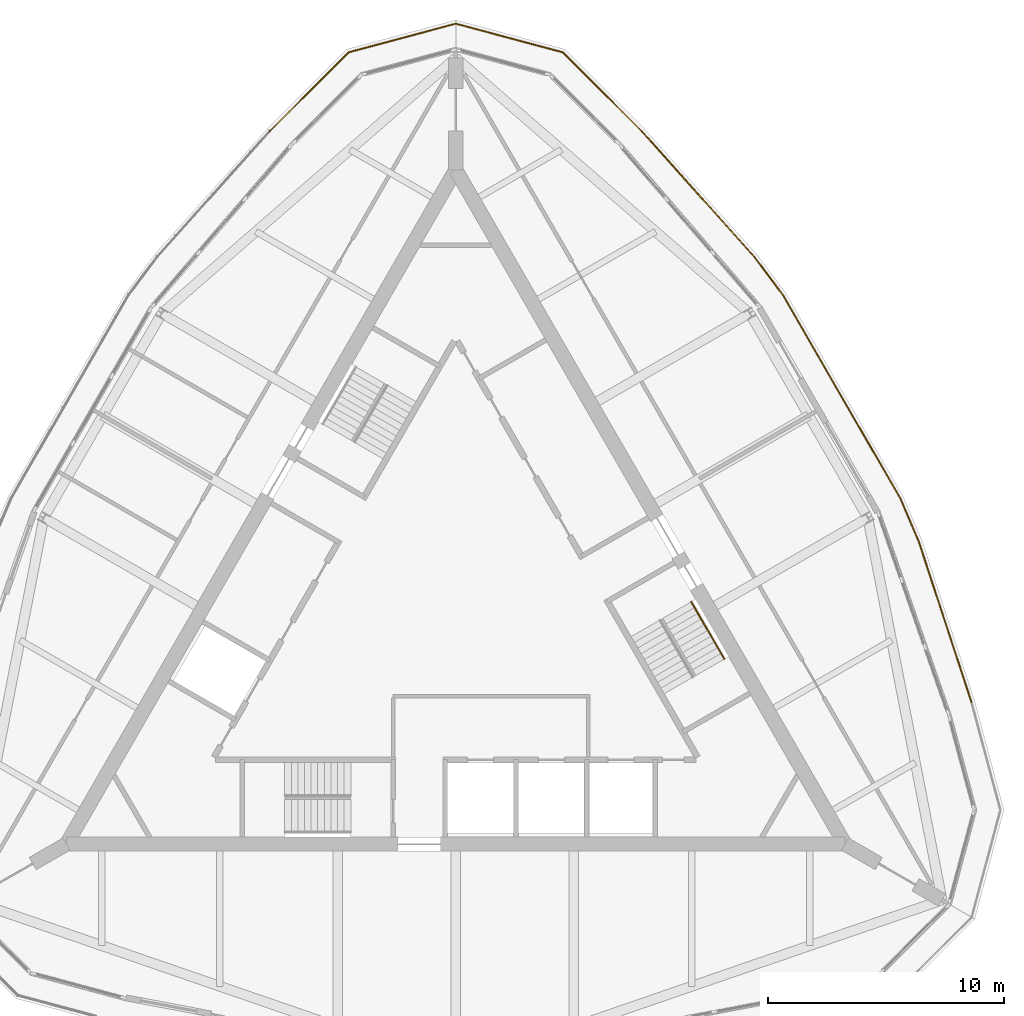
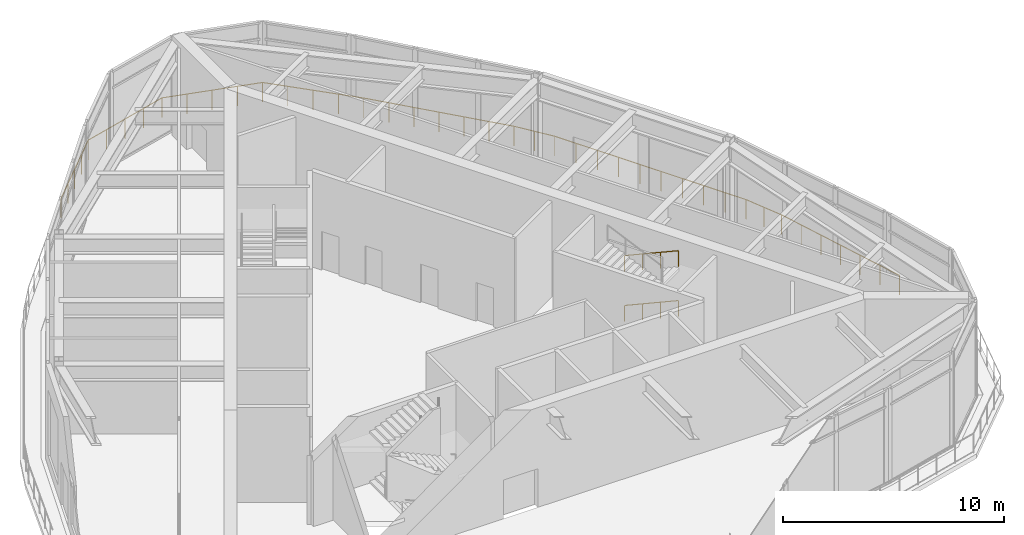
# One storey, part 9 of 9: 3 railings.
"""IFC4 building model written with IfcOpenShell, lengths in metres."""

from ifc_helpers import new_model, si_unit, direction, frame, origin, origin_2d, place, context, subcontext, project, spatial, circle, extrude, material, type_object, element, save


model = new_model("IFC4")

# Units and contexts
model_context = context("Model", 3, precision=1e-05, world=origin(), true_north=direction((0.0, 1.0)))
body_context = subcontext(model_context, "Body", "Model", "MODEL_VIEW")
ifc_project = project(units=[si_unit("LENGTHUNIT", "METRE"), si_unit("AREAUNIT", "SQUARE_METRE"), si_unit("VOLUMEUNIT", "CUBIC_METRE"), si_unit("PLANEANGLEUNIT", "RADIAN"), si_unit("MASSUNIT", "GRAM", prefix="KILO")], contexts=[model_context])

# Site, building, storey
site_placement = place(None, origin())
site = spatial("IfcSite", under=ifc_project, at=site_placement, CompositionType="ELEMENT")
building_placement = place(site_placement, origin())
building = spatial("IfcBuilding", under=site, at=building_placement, Name="Trikona Tower", CompositionType="ELEMENT")
storey_placement = place(building_placement, frame((0.0, 0.0, 281.300048828125)))
storey = spatial("IfcBuildingStorey", under=building, at=storey_placement, Name="L74", CompositionType="ELEMENT", Elevation=281.300048828125)

# Railings
ifc_material_1 = material(Name="Stainless steel handrail", Category="steel")
railing_type_1 = type_object("IfcRailingType", Name="Stair handrail", PredefinedType="HANDRAIL", material=ifc_material_1)
for number, where, name in (
    (1, (9.9833984375, 0.740966796875, 0.125), "Stair handrail B L74 1"),
    (2, (9.9833984375, 0.740966796875, 2.875), "Stair handrail B L74 3"),
):
    element("IfcRailing", number, at=place(storey_placement, frame(where)), inside=storey, type_object=railing_type_1, Name=name, PredefinedType="HANDRAIL", context=body_context, shape_type="SweptSolid", body=[
        extrude(circle(Radius=0.02392578125, at=origin_2d()), frame((0.0, 0.0, 0.8759765625), z_axis=(0.456522809549, -0.790833810125, 0.40763808596), x_axis=(0.866056369097, 0.49994636267, 0.0)), (0.0, 0.0, 1.0), 3.06640625),
        extrude(circle(Radius=0.02099609375, at=origin_2d()), origin(), (0.0, 0.0, 1.0), 0.851806640625),
        extrude(circle(Radius=0.02099609375, at=origin_2d()), frame((0.466552734375, -0.808349609375, 0.416748046875)), (0.0, 0.0, 1.0), 0.851806640625),
        extrude(circle(Radius=0.02099609375, at=origin_2d()), frame((0.933349609375, -1.61669921875, 0.833251953125)), (0.0, 0.0, 1.0), 0.851806640625),
        extrude(circle(Radius=0.02099609375, at=origin_2d()), frame((1.39990234375, -2.425048828125, 1.25)), (0.0, 0.0, 1.0), 0.851806640625),
    ])
ifc_material_2 = material(Name="Stainless steel guard with glass infill", Category="steel")
railing_type_2 = type_object("IfcRailingType", Name="Terrace guard 1100", PredefinedType="GUARDRAIL", material=ifc_material_2)
railing_placement = place(storey_placement, frame((-7.89111328125, 20.681396484375, 0.0)))
element("IfcRailing", 3, at=railing_placement, inside=storey, type_object=railing_type_2, Name="Terrace guard L74-2", PredefinedType="GUARDRAIL", context=body_context, shape_type="SweptSolid", body=[
    extrude(circle(Radius=0.02392578125, at=origin_2d()), frame((0.0, 0.0, 1.076171875), z_axis=(0.707106781187, 0.707106781187, 0.0), x_axis=(-0.707106781187, 0.707106781187, 0.0)), (0.0, 0.0, 1.0), 4.7373046875),
    extrude(circle(Radius=0.02392578125, at=origin_2d()), frame((3.349853515625, 3.349853515625, 1.076171875), z_axis=(0.965927422152, 0.258813089189, 0.0), x_axis=(-0.258813089189, 0.965927422152, 0.0)), (0.0, 0.0, 1.0), 4.701416015625),
    extrude(circle(Radius=0.02392578125, at=origin_2d()), frame((7.89111328125, 4.566650390625, 1.076171875), z_axis=(0.965927422152, -0.258813089189, 0.0), x_axis=(0.258813089189, 0.965927422152, 0.0)), (0.0, 0.0, 1.0), 4.701416015625),
    extrude(circle(Radius=0.02392578125, at=origin_2d()), frame((12.432373046875, 3.349853515625, 1.076171875), z_axis=(0.707106781187, -0.707106781187, 0.0), x_axis=(0.707106781187, 0.707106781187, 0.0)), (0.0, 0.0, 1.0), 4.7373046875),
    extrude(circle(Radius=0.02392578125, at=origin_2d()), frame((15.7822265625, 0.0, 1.076171875), z_axis=(0.667314300765, -0.744776224106, 0.0), x_axis=(0.744776224106, 0.667314300765, 0.0)), (0.0, 0.0, 1.0), 7.141845703125),
    extrude(circle(Radius=0.02392578125, at=origin_2d()), frame((20.548095703125, -5.319091796875, 1.076171875), z_axis=(0.59960906487, -0.800293052154, 0.0), x_axis=(0.800293052154, 0.59960906487, 0.0)), (0.0, 0.0, 1.0), 1.998779296875),
    extrude(circle(Radius=0.02392578125, at=origin_2d()), frame((21.74658203125, -6.918701171875, 1.076171875), z_axis=(0.499992741826, -0.866029594253, 0.0), x_axis=(0.866029594253, 0.499992741826, 0.0)), (0.0, 0.0, 1.0), 9.982177734375),
    extrude(circle(Radius=0.02392578125, at=origin_2d()), frame((26.737548828125, -15.5634765625, 1.076171875), z_axis=(0.393314794123, -0.919403868125, 0.0), x_axis=(0.919403868125, 0.393314794123, 0.0)), (0.0, 0.0, 1.0), 1.998779296875),
    extrude(circle(Radius=0.02392578125, at=origin_2d()), frame((27.523681640625, -17.401123046875, 1.076171875), z_axis=(0.311342193676, -0.950297868269, 0.0), x_axis=(0.950297868269, 0.311342193676, 0.0)), (0.0, 0.0, 1.0), 7.14208984375),
    extrude(circle(Radius=0.02099609375, at=origin_2d()), origin(), (0.0, 0.0, 1.0), 1.052001953125),
    extrude(circle(Radius=0.02099609375, at=origin_2d()), frame((0.83740234375, 0.83740234375, 0.0)), (0.0, 0.0, 1.0), 1.052001953125),
    extrude(circle(Radius=0.02099609375, at=origin_2d()), frame((1.6748046875, 1.6748046875, 0.0)), (0.0, 0.0, 1.0), 1.052001953125),
    extrude(circle(Radius=0.02099609375, at=origin_2d()), frame((2.512451171875, 2.512451171875, 0.0)), (0.0, 0.0, 1.0), 1.052001953125),
    extrude(circle(Radius=0.02099609375, at=origin_2d()), frame((3.349853515625, 3.349853515625, 0.0)), (0.0, 0.0, 1.0), 1.052001953125),
    extrude(circle(Radius=0.02099609375, at=origin_2d()), frame((4.485107421875, 3.654052734375, 0.0)), (0.0, 0.0, 1.0), 1.052001953125),
    extrude(circle(Radius=0.02099609375, at=origin_2d()), frame((5.62060546875, 3.958251953125, 0.0)), (0.0, 0.0, 1.0), 1.052001953125),
    extrude(circle(Radius=0.02099609375, at=origin_2d()), frame((6.755859375, 4.262451171875, 0.0)), (0.0, 0.0, 1.0), 1.052001953125),
    extrude(circle(Radius=0.02099609375, at=origin_2d()), frame((7.89111328125, 4.566650390625, 0.0)), (0.0, 0.0, 1.0), 1.052001953125),
    extrude(circle(Radius=0.02099609375, at=origin_2d()), frame((9.0263671875, 4.262451171875, 0.0)), (0.0, 0.0, 1.0), 1.052001953125),
    extrude(circle(Radius=0.02099609375, at=origin_2d()), frame((10.16162109375, 3.958251953125, 0.0)), (0.0, 0.0, 1.0), 1.052001953125),
    extrude(circle(Radius=0.02099609375, at=origin_2d()), frame((11.297119140625, 3.654052734375, 0.0)), (0.0, 0.0, 1.0), 1.052001953125),
    extrude(circle(Radius=0.02099609375, at=origin_2d()), frame((12.432373046875, 3.349853515625, 0.0)), (0.0, 0.0, 1.0), 1.052001953125),
    extrude(circle(Radius=0.02099609375, at=origin_2d()), frame((13.269775390625, 2.512451171875, 0.0)), (0.0, 0.0, 1.0), 1.052001953125),
    extrude(circle(Radius=0.02099609375, at=origin_2d()), frame((14.107421875, 1.6748046875, 0.0)), (0.0, 0.0, 1.0), 1.052001953125),
    extrude(circle(Radius=0.02099609375, at=origin_2d()), frame((14.94482421875, 0.83740234375, 0.0)), (0.0, 0.0, 1.0), 1.052001953125),
    extrude(circle(Radius=0.02099609375, at=origin_2d()), frame((15.7822265625, 0.0, 0.0)), (0.0, 0.0, 1.0), 1.052001953125),
    extrude(circle(Radius=0.02099609375, at=origin_2d()), frame((16.57666015625, -0.886474609375, 0.0)), (0.0, 0.0, 1.0), 1.052001953125),
    extrude(circle(Radius=0.02099609375, at=origin_2d()), frame((17.370849609375, -1.77294921875, 0.0)), (0.0, 0.0, 1.0), 1.052001953125),
    extrude(circle(Radius=0.02099609375, at=origin_2d()), frame((18.1650390625, -2.65966796875, 0.0)), (0.0, 0.0, 1.0), 1.052001953125),
    extrude(circle(Radius=0.02099609375, at=origin_2d()), frame((18.95947265625, -3.546142578125, 0.0)), (0.0, 0.0, 1.0), 1.052001953125),
    extrude(circle(Radius=0.02099609375, at=origin_2d()), frame((19.75390625, -4.4326171875, 0.0)), (0.0, 0.0, 1.0), 1.052001953125),
    extrude(circle(Radius=0.02099609375, at=origin_2d()), frame((20.548095703125, -5.319091796875, 0.0)), (0.0, 0.0, 1.0), 1.052001953125),
    extrude(circle(Radius=0.02099609375, at=origin_2d()), frame((21.1474609375, -6.118896484375, 0.0)), (0.0, 0.0, 1.0), 1.052001953125),
    extrude(circle(Radius=0.02099609375, at=origin_2d()), frame((21.74658203125, -6.918701171875, 0.0)), (0.0, 0.0, 1.0), 1.052001953125),
    extrude(circle(Radius=0.02099609375, at=origin_2d()), frame((22.301025390625, -7.879150390625, 0.0)), (0.0, 0.0, 1.0), 1.052001953125),
    extrude(circle(Radius=0.02099609375, at=origin_2d()), frame((22.855712890625, -8.83984375, 0.0)), (0.0, 0.0, 1.0), 1.052001953125),
    extrude(circle(Radius=0.02099609375, at=origin_2d()), frame((23.41015625, -9.80029296875, 0.0)), (0.0, 0.0, 1.0), 1.052001953125),
    extrude(circle(Radius=0.02099609375, at=origin_2d()), frame((23.96484375, -10.7607421875, 0.0)), (0.0, 0.0, 1.0), 1.052001953125),
    extrude(circle(Radius=0.02099609375, at=origin_2d()), frame((24.519287109375, -11.721435546875, 0.0)), (0.0, 0.0, 1.0), 1.052001953125),
    extrude(circle(Radius=0.02099609375, at=origin_2d()), frame((25.073974609375, -12.681884765625, 0.0)), (0.0, 0.0, 1.0), 1.052001953125),
    extrude(circle(Radius=0.02099609375, at=origin_2d()), frame((25.62841796875, -13.642333984375, 0.0)), (0.0, 0.0, 1.0), 1.052001953125),
    extrude(circle(Radius=0.02099609375, at=origin_2d()), frame((26.18310546875, -14.60302734375, 0.0)), (0.0, 0.0, 1.0), 1.052001953125),
    extrude(circle(Radius=0.02099609375, at=origin_2d()), frame((26.737548828125, -15.5634765625, 0.0)), (0.0, 0.0, 1.0), 1.052001953125),
    extrude(circle(Radius=0.02099609375, at=origin_2d()), frame((27.130615234375, -16.482421875, 0.0)), (0.0, 0.0, 1.0), 1.052001953125),
    extrude(circle(Radius=0.02099609375, at=origin_2d()), frame((27.523681640625, -17.401123046875, 0.0)), (0.0, 0.0, 1.0), 1.052001953125),
    extrude(circle(Radius=0.02099609375, at=origin_2d()), frame((27.894287109375, -18.5322265625, 0.0)), (0.0, 0.0, 1.0), 1.052001953125),
    extrude(circle(Radius=0.02099609375, at=origin_2d()), frame((28.264892578125, -19.66357421875, 0.0)), (0.0, 0.0, 1.0), 1.052001953125),
    extrude(circle(Radius=0.02099609375, at=origin_2d()), frame((28.635498046875, -20.794677734375, 0.0)), (0.0, 0.0, 1.0), 1.052001953125),
    extrude(circle(Radius=0.02099609375, at=origin_2d()), frame((29.006103515625, -21.92578125, 0.0)), (0.0, 0.0, 1.0), 1.052001953125),
    extrude(circle(Radius=0.02099609375, at=origin_2d()), frame((29.376708984375, -23.05712890625, 0.0)), (0.0, 0.0, 1.0), 1.052001953125),
    extrude(circle(Radius=0.02099609375, at=origin_2d()), frame((29.747314453125, -24.188232421875, 0.0)), (0.0, 0.0, 1.0), 1.052001953125),
])

save(model, "model.ifc")
